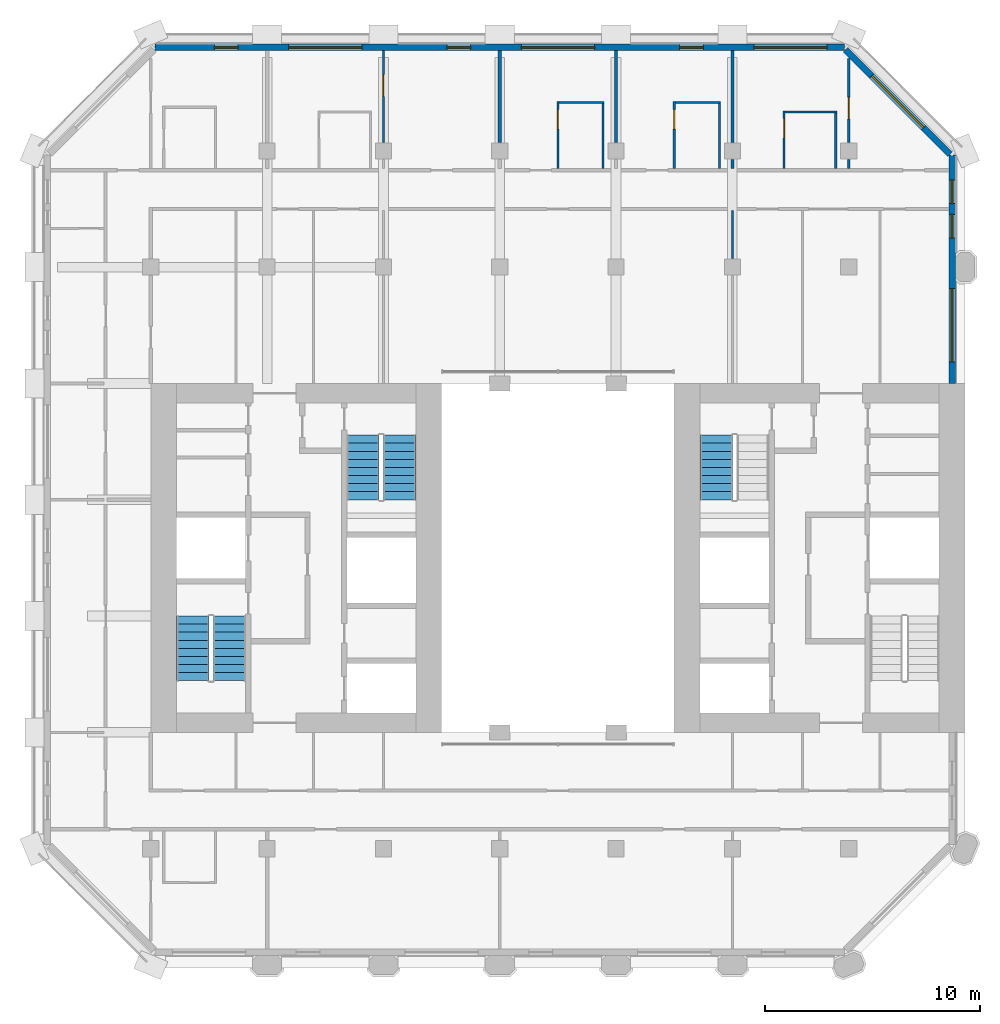
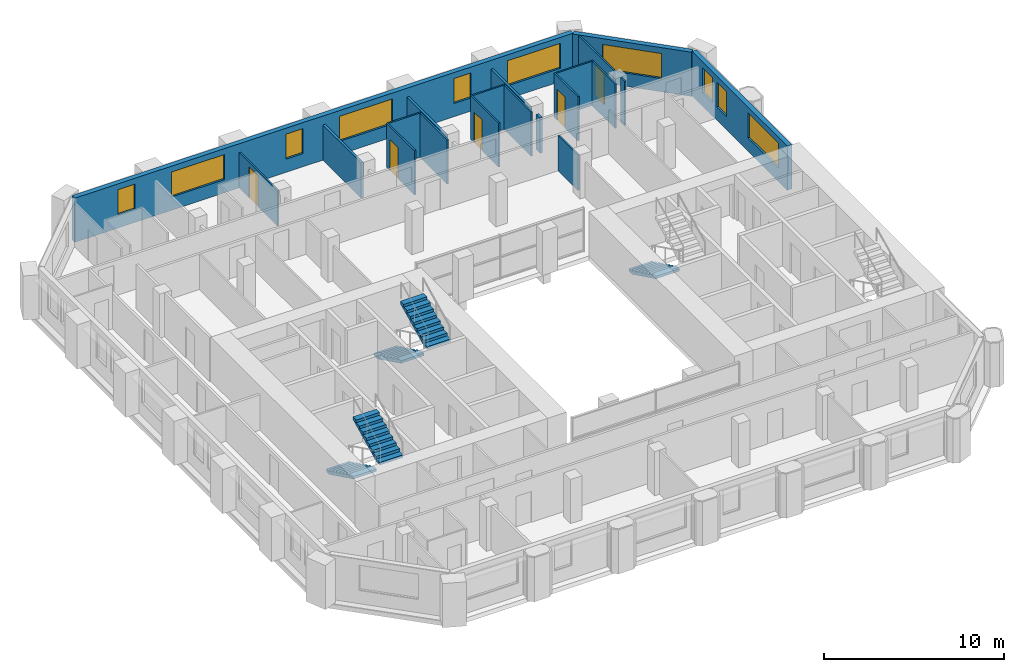
# One storey, part 10 of 14: 20 walls, 10 windows, 5 doors, 5 stair flights, 15 openings, 3 elements without a shape of their own.
"""IFC4 building model written with IfcOpenShell, lengths in metres."""

import ifcopenshell
import ifcopenshell.guid

model = None  # the IFC model being written
_history = None  # IfcOwnerHistory: only IFC2X3 demands one
_inside = {}  # id of a spatial element -> (the spatial element, [elements in it])
_under = {}  # id of a project, library or spatial element -> (it, [spatial elements below it])
_declared = {}  # id of a project -> (the project, [libraries it declares])
_typed = {}  # id of a type object -> (the type object, [elements of that type])
_made_of = {}  # id of a material, layer set ... -> (it, [elements and type objects made of it])


def new_model(schema):
    """Start an empty IFC model of exactly this schema.

    Asked for "IFC4X3", IfcOpenShell would pick the latest addendum, in which some entities
    have other attributes; the version numbers below select the first issue.
    IFC2X3 requires an IfcOwnerHistory on every rooted entity: one is made here for all.
    """
    global model, _history
    if schema == "IFC4X3":
        model = ifcopenshell.file(schema_version=(4, 3, 0, 0))
    else:
        model = ifcopenshell.file(schema=schema)
    _inside.clear()
    _under.clear()
    _declared.clear()
    _typed.clear()
    _made_of.clear()
    _history = None
    if model.schema == "IFC2X3":
        org = make("IfcOrganization", Name="unknown")
        user = make(
            "IfcPersonAndOrganization",
            ThePerson=make("IfcPerson", FamilyName="unknown"),
            TheOrganization=org,
        )
        app = make(
            "IfcApplication",
            ApplicationDeveloper=org,
            Version="unknown",
            ApplicationFullName="unknown",
            ApplicationIdentifier="unknown",
        )
        _history = make(
            "IfcOwnerHistory",
            OwningUser=user,
            OwningApplication=app,
            ChangeAction="ADDED",
            CreationDate=0,
        )
    return model


def make(cls, **values):
    """One entity of the class cls with the attributes given. An attribute that is None is left unset."""
    return model.create_entity(
        cls, **{name: value for name, value in values.items() if value is not None}
    )


def rooted(cls, **values):
    """An entity with a GlobalId (a new one), such as an element, a storey or a relation."""
    return make(cls, GlobalId=ifcopenshell.guid.new(), OwnerHistory=_history, **values)


def si_unit(unit_type, name, prefix=None):
    """IfcSIUnit, for example si_unit("LENGTHUNIT", "METRE", prefix="MILLI")."""
    return make("IfcSIUnit", UnitType=unit_type, Prefix=prefix, Name=name)


def assignment(units):
    """IfcUnitAssignment: the units of a project."""
    return None if units is None else make("IfcUnitAssignment", Units=units)


def point(xyz):
    """IfcCartesianPoint."""
    return None if xyz is None else make("IfcCartesianPoint", Coordinates=xyz)


def direction(xyz):
    """IfcDirection."""
    return None if xyz is None else make("IfcDirection", DirectionRatios=xyz)


def frame(location, z_axis=None, x_axis=None):
    """IfcAxis2Placement3D, a coordinate frame: its origin and axes. An axis left out is left unset."""
    return make(
        "IfcAxis2Placement3D",
        Location=point(location),
        Axis=direction(z_axis),
        RefDirection=direction(x_axis),
    )


def frame_2d(location, x_axis=None):
    """IfcAxis2Placement2D, a coordinate frame in the plane: its origin and x axis."""
    return make(
        "IfcAxis2Placement2D", Location=point(location), RefDirection=direction(x_axis)
    )


def origin():
    """The frame at (0, 0, 0) with its axes left unset."""
    return frame((0.0, 0.0, 0.0))


def place(relative_to, where):
    """IfcLocalPlacement: puts the frame where relative to a parent placement (None: the world)."""
    return make(
        "IfcLocalPlacement", PlacementRelTo=relative_to, RelativePlacement=where
    )


def context(
    kind, dimensions, precision=None, world=None, true_north=None, identifier=None
):
    """IfcGeometricRepresentationContext, for example the 3D "Model" context."""
    return make(
        "IfcGeometricRepresentationContext",
        ContextIdentifier=identifier,
        ContextType=kind,
        CoordinateSpaceDimension=dimensions,
        Precision=precision,
        WorldCoordinateSystem=world,
        TrueNorth=true_north,
    )


def subcontext(parent, identifier, kind, view, scale=None):
    """IfcGeometricRepresentationSubContext, for example "Body" below "Model"."""
    return make(
        "IfcGeometricRepresentationSubContext",
        ContextIdentifier=identifier,
        ContextType=kind,
        ParentContext=parent,
        TargetScale=scale,
        TargetView=view,
    )


def project(units=None, contexts=None):
    """IfcProject with its units and contexts."""
    return rooted(
        "IfcProject",
        Name="project",
        RepresentationContexts=contexts,
        UnitsInContext=assignment(units),
    )


def spatial(cls, under=None, at=None, **own):
    """A site, building, storey or space (cls), placed at a placement, below another one or the project."""
    s = rooted(cls, ObjectPlacement=at, **own)
    if under is not None:
        _under.setdefault(under.id(), (under, []))[1].append(s)
    return s


def polyline(points):
    """IfcPolyline through the points."""
    return make("IfcPolyline", Points=[point(p) for p in points])


def profile(cls, at=None, kind="AREA", **sizes):
    """A parametric profile (cls). Its sizes go by their IFC names, for example OverallWidth=200.0."""
    return make(cls, ProfileType=kind, Position=at, **sizes)


def rectangle(**sizes):
    """IfcRectangleProfileDef."""
    return profile("IfcRectangleProfileDef", **sizes)


def outline(outer, holes=None, kind="AREA"):
    """IfcArbitraryClosedProfileDef: a profile drawn as a closed curve; with holes, ...WithVoids."""
    if holes is None:
        return make("IfcArbitraryClosedProfileDef", ProfileType=kind, OuterCurve=outer)
    return make(
        "IfcArbitraryProfileDefWithVoids",
        ProfileType=kind,
        OuterCurve=outer,
        InnerCurves=holes,
    )


def extrude(swept, where, along, depth):
    """IfcExtrudedAreaSolid: the profile swept, set in the frame where, extruded along a direction by depth."""
    return make(
        "IfcExtrudedAreaSolid",
        SweptArea=swept,
        Position=where,
        ExtrudedDirection=direction(along),
        Depth=depth,
    )


def shape(context_of_items, identifier, shape_type, items):
    """IfcShapeRepresentation: the items that make up one representation, for example the "Body"."""
    return make(
        "IfcShapeRepresentation",
        ContextOfItems=context_of_items,
        RepresentationIdentifier=identifier,
        RepresentationType=shape_type,
        Items=items,
    )


def material(Name=None, Category=None):
    """IfcMaterial."""
    return make("IfcMaterial", Name=Name, Category=Category)


def layer(
    of_material, thickness, ventilated=None, Name=None, Category=None, Priority=None
):
    """IfcMaterialLayer: one layer of a wall or slab, of a material (None: an air gap)."""
    return make(
        "IfcMaterialLayer",
        Material=of_material,
        LayerThickness=thickness,
        IsVentilated=ventilated,
        Name=Name,
        Category=Category,
        Priority=Priority,
    )


def layer_set(layers, Name=None):
    """IfcMaterialLayerSet."""
    return make("IfcMaterialLayerSet", MaterialLayers=layers, LayerSetName=Name)


def made_of(thing, what):
    """Note that an element or type object is made of a material, layer set ...; save() writes the relation."""
    if what is not None:
        _made_of.setdefault(what.id(), (what, []))[1].append(thing)
    return thing


def type_object(cls, material=None, **own):
    """A type object (cls), such as IfcWallType, which elements share."""
    return made_of(rooted(cls, **own), material)


def element(
    cls,
    number,
    at=None,
    inside=None,
    cuts=None,
    type_object=None,
    material=None,
    context=None,
    identifier="Body",
    shape_type=None,
    held_by="IfcProductDefinitionShape",
    body=None,
    shapes=None,
    **own,
):
    """One element of the class cls, such as IfcWall. Its Tag is "e" and its number.

    at: its placement. inside: the storey or other place that contains it. cuts: it is an
    opening in that element (IfcRelVoidsElement). A single representation is given by context,
    identifier, shape_type and body (its items); several are given by shapes. held_by: the class
    of the entity that holds the representations. save() writes the other relations.
    """
    e = rooted(cls, Tag="e%d" % number, ObjectPlacement=at, **own)
    if body is not None:
        shapes = [shape(context, identifier, shape_type, body)]
    if shapes is not None:
        e.Representation = make(held_by, Representations=shapes)
    if inside is not None:
        _inside.setdefault(inside.id(), (inside, []))[1].append(e)
    if cuts is not None:
        rooted(
            "IfcRelVoidsElement", RelatingBuildingElement=cuts, RelatedOpeningElement=e
        )
    if type_object is not None:
        _typed.setdefault(type_object.id(), (type_object, []))[1].append(e)
    return made_of(e, material)


def fill(opening, filler):
    """IfcRelFillsElement: the door or window that sits in an opening."""
    return rooted(
        "IfcRelFillsElement",
        RelatingOpeningElement=opening,
        RelatedBuildingElement=filler,
    )


def aggregate(whole, parts):
    """IfcRelAggregates: a whole, such as a stair, and the parts it consists of."""
    return rooted("IfcRelAggregates", RelatingObject=whole, RelatedObjects=parts)


def save(model, path):
    """Write the relations noted so far, then the file.

    IfcRelAggregates (storeys below a building ...), IfcRelContainedInSpatialStructure (elements
    in a storey), IfcRelDefinesByType, IfcRelAssociatesMaterial and IfcRelDeclares: one each for
    every whole, place, type object, material and project.
    """
    for whole, parts in _under.values():
        aggregate(whole, parts)
    for where, things in _inside.values():
        rooted(
            "IfcRelContainedInSpatialStructure",
            RelatedElements=things,
            RelatingStructure=where,
        )
    for kind, things in _typed.values():
        rooted("IfcRelDefinesByType", RelatedObjects=things, RelatingType=kind)
    for what, things in _made_of.values():
        rooted("IfcRelAssociatesMaterial", RelatedObjects=things, RelatingMaterial=what)
    for by, libraries in _declared.values():
        rooted("IfcRelDeclares", RelatingContext=by, RelatedDefinitions=libraries)
    model.write(path)


model = new_model("IFC4")

# Units and contexts
model_context = context("Model", 3, precision=1e-05, world=origin(), true_north=direction((0.0, 1.0)))
body_context = subcontext(model_context, "Body", "Model", "MODEL_VIEW")
ifc_project = project(units=[si_unit("LENGTHUNIT", "METRE"), si_unit("AREAUNIT", "SQUARE_METRE"), si_unit("VOLUMEUNIT", "CUBIC_METRE"), si_unit("PLANEANGLEUNIT", "RADIAN"), si_unit("MASSUNIT", "GRAM", prefix="KILO")], contexts=[model_context])

# Site, building, storey
site_placement = place(None, origin())
site = spatial("IfcSite", under=ifc_project, at=site_placement, CompositionType="ELEMENT")
building_placement = place(site_placement, origin())
building = spatial("IfcBuilding", under=site, at=building_placement, Name="Tabaq Tower and Sports Hall", CompositionType="ELEMENT")
storey_placement = place(building_placement, frame((0.0, 0.0, 226.89990234375)))
storey = spatial("IfcBuildingStorey", under=building, at=storey_placement, Name="L57", CompositionType="ELEMENT", Elevation=226.89990234375)

# Wall, opening, door
ifc_material_1 = material(Name="Gypsum board on steel studs", Category="steel")
ifc_layer_1 = layer(ifc_material_1, 0.10009765625)
ifc_layer_set_1 = layer_set([ifc_layer_1], Name="Partition 100 Gypsum board")
wall_type_1 = type_object("IfcWallType", Name="Partition 100 Gypsum board", PredefinedType="PARTITIONING", material=ifc_layer_set_1)
wall_1_placement = place(storey_placement, frame((34.800048828125, 42.375, 0.0), z_axis=(0.0, 0.0, 1.0), x_axis=(0.0, 1.0, 0.0)))
wall_1 = element("IfcWall", 1, at=wall_1_placement, inside=storey, type_object=wall_type_1, Name="Partition wall L57", PredefinedType="PARTITIONING", context=body_context, shape_type="SweptSolid", body=[
    extrude(rectangle(XDim=2.675048828125, YDim=0.10009765625, at=frame_2d((1.33740234375, 0.0))), origin(), (0.0, 0.0, 1.0), 3.0),
])
opening_1_placement = place(wall_1_placement, frame((1.425048828125, 0.0, 0.0)))
opening_1 = element("IfcOpeningElement", 2, at=opening_1_placement, cuts=wall_1, Name="Opening L57-002", PredefinedType="OPENING", context=body_context, shape_type="SweptSolid", body=[
    extrude(rectangle(XDim=0.89990234375, YDim=2.10009765625, at=frame_2d((0.449951171875, 1.050048828125))), frame((0.0, 0.050048828125, 0.0), z_axis=(0.0, -1.0, 0.0), x_axis=(1.0, 0.0, 0.0)), (0.0, 0.0, 1.0), 0.10009765625),
])
ifc_material_2 = material(Name="Timber leaf in steel frame", Category="steel")
door_type_1 = type_object("IfcDoorType", Name="Internal door 900 left hand", OperationType="SINGLE_SWING_LEFT", PredefinedType="DOOR", material=ifc_material_2)
door_1_placement = place(opening_1_placement, origin())
door_1 = element("IfcDoor", 3, at=door_1_placement, inside=storey, type_object=door_type_1, Name="Internal door L57-002", OperationType="SINGLE_SWING_LEFT", OverallHeight=2.10009765625, OverallWidth=0.89990234375, PredefinedType="DOOR", context=body_context, shape_type="SweptSolid", body=[
    extrude(rectangle(XDim=0.89990234375, YDim=2.10009765625, at=frame_2d((0.449951171875, 1.050048828125))), frame((0.0, 0.02490234375, 0.0), z_axis=(0.0, -1.0, 0.0), x_axis=(1.0, 0.0, 0.0)), (0.0, 0.0, 1.0), 0.050048828125),
])
fill(opening_1, door_1)

# Walls
wall_2_placement = place(storey_placement, frame((34.85009765625, 45.0, 0.0), z_axis=(0.0, 0.0, 1.0), x_axis=(1.0, 0.0, 0.0)))
element("IfcWall", 4, at=wall_2_placement, inside=storey, type_object=wall_type_1, Name="Partition wall L57", PredefinedType="PARTITIONING", context=body_context, shape_type="SweptSolid", body=[
    extrude(rectangle(XDim=2.39990234375, YDim=0.10009765625, at=frame_2d((1.199951171875, 0.0))), origin(), (0.0, 0.0, 1.0), 3.0),
])
wall_3_placement = place(storey_placement, frame((37.199951171875, 44.949951171875, 0.0), z_axis=(0.0, 0.0, 1.0), x_axis=(0.0, -1.0, 0.0)))
element("IfcWall", 5, at=wall_3_placement, inside=storey, type_object=wall_type_1, Name="Partition wall L57", PredefinedType="PARTITIONING", context=body_context, shape_type="SweptSolid", body=[
    extrude(rectangle(XDim=2.574951171875, YDim=0.10009765625, at=frame_2d((1.28759765625, 0.0))), origin(), (0.0, 0.0, 1.0), 3.0),
])
wall_4_placement = place(storey_placement, frame((37.800048828125, 42.375, 0.0), z_axis=(0.0, 0.0, 1.0), x_axis=(0.0, 1.0, 0.0)))
element("IfcWall", 6, at=wall_4_placement, inside=storey, type_object=wall_type_1, Name="Partition wall L57", PredefinedType="PARTITIONING", context=body_context, shape_type="SweptSolid", body=[
    extrude(rectangle(XDim=0.429931640625, YDim=0.10009765625, at=frame_2d((0.21484375, 0.0))), origin(), (0.0, 0.0, 1.0), 3.0),
])

# Wall, opening, door
wall_5_placement = place(storey_placement, frame((37.800048828125, 43.594970703125, 0.0), z_axis=(0.0, 0.0, 1.0), x_axis=(0.0, 1.0, 0.0)))
wall_5 = element("IfcWall", 7, at=wall_5_placement, inside=storey, type_object=wall_type_1, Name="Partition wall L57", PredefinedType="PARTITIONING", context=body_context, shape_type="SweptSolid", body=[
    extrude(rectangle(XDim=3.892822265625, YDim=0.10009765625, at=frame_2d((1.9462890625, 0.0))), origin(), (0.0, 0.0, 1.0), 3.0),
])
opening_2_placement = place(wall_5_placement, frame((1.092529296875, 0.0, 0.0)))
opening_2 = element("IfcOpeningElement", 8, at=opening_2_placement, cuts=wall_5, Name="Opening L57-025", PredefinedType="OPENING", context=body_context, shape_type="SweptSolid", body=[
    extrude(rectangle(XDim=1.0, YDim=2.10009765625, at=frame_2d((0.5, 1.050048828125))), frame((0.0, 0.050048828125, 0.0), z_axis=(0.0, -1.0, 0.0), x_axis=(1.0, 0.0, 0.0)), (0.0, 0.0, 1.0), 0.10009765625),
])
ifc_material_3 = material(Name="Timber leaf in steel frame", Category="steel")
door_type_2 = type_object("IfcDoorType", Name="Internal door 1000 left hand", OperationType="SINGLE_SWING_LEFT", PredefinedType="DOOR", material=ifc_material_3)
door_2_placement = place(opening_2_placement, origin())
door_2 = element("IfcDoor", 9, at=door_2_placement, inside=storey, type_object=door_type_2, Name="Internal door L57-025", OperationType="SINGLE_SWING_LEFT", OverallHeight=2.10009765625, OverallWidth=1.0, PredefinedType="DOOR", context=body_context, shape_type="SweptSolid", body=[
    extrude(rectangle(XDim=1.0, YDim=2.10009765625, at=frame_2d((0.5, 1.050048828125))), frame((0.0, 0.02490234375, 0.0), z_axis=(0.0, -1.0, 0.0), x_axis=(1.0, 0.0, 0.0)), (0.0, 0.0, 1.0), 0.050048828125),
])
fill(opening_2, door_2)

wall_6_placement = place(storey_placement, frame((29.699951171875, 42.375, 0.0), z_axis=(0.0, 0.0, 1.0), x_axis=(0.0, 1.0, 0.0)))
wall_6 = element("IfcWall", 10, at=wall_6_placement, inside=storey, type_object=wall_type_1, Name="Partition wall L57", PredefinedType="PARTITIONING", context=body_context, shape_type="SweptSolid", body=[
    extrude(rectangle(XDim=3.125, YDim=0.10009765625, at=frame_2d((1.5625, 0.0))), origin(), (0.0, 0.0, 1.0), 3.0),
])
opening_3_placement = place(wall_6_placement, frame((1.83740234375, 0.0, 0.0)))
opening_3 = element("IfcOpeningElement", 11, at=opening_3_placement, cuts=wall_6, Name="Opening L57-003", PredefinedType="OPENING", context=body_context, shape_type="SweptSolid", body=[
    extrude(rectangle(XDim=0.89990234375, YDim=2.10009765625, at=frame_2d((0.449951171875, 1.050048828125))), frame((0.0, 0.050048828125, 0.0), z_axis=(0.0, -1.0, 0.0), x_axis=(1.0, 0.0, 0.0)), (0.0, 0.0, 1.0), 0.10009765625),
])
door_3_placement = place(opening_3_placement, origin())
door_3 = element("IfcDoor", 12, at=door_3_placement, inside=storey, type_object=door_type_1, Name="Internal door L57-003", OperationType="SINGLE_SWING_LEFT", OverallHeight=2.10009765625, OverallWidth=0.89990234375, PredefinedType="DOOR", context=body_context, shape_type="SweptSolid", body=[
    extrude(rectangle(XDim=0.89990234375, YDim=2.10009765625, at=frame_2d((0.449951171875, 1.050048828125))), frame((0.0, 0.02490234375, 0.0), z_axis=(0.0, -1.0, 0.0), x_axis=(1.0, 0.0, 0.0)), (0.0, 0.0, 1.0), 0.050048828125),
])
fill(opening_3, door_3)

# Walls
wall_7_placement = place(storey_placement, frame((29.75, 45.449951171875, 0.0), z_axis=(0.0, 0.0, 1.0), x_axis=(1.0, 0.0, 0.0)))
element("IfcWall", 13, at=wall_7_placement, inside=storey, type_object=wall_type_1, Name="Partition wall L57", PredefinedType="PARTITIONING", context=body_context, shape_type="SweptSolid", body=[
    extrude(rectangle(XDim=2.10009765625, YDim=0.10009765625, at=frame_2d((1.050048828125, 0.0))), origin(), (0.0, 0.0, 1.0), 3.0),
])
wall_8_placement = place(storey_placement, frame((31.800048828125, 45.39990234375, 0.0), z_axis=(0.0, 0.0, 1.0), x_axis=(0.0, -1.0, 0.0)))
element("IfcWall", 14, at=wall_8_placement, inside=storey, type_object=wall_type_1, Name="Partition wall L57", PredefinedType="PARTITIONING", context=body_context, shape_type="SweptSolid", body=[
    extrude(rectangle(XDim=3.02490234375, YDim=0.10009765625, at=frame_2d((1.512451171875, 0.0))), origin(), (0.0, 0.0, 1.0), 3.0),
])

# Wall, opening, door
wall_9_placement = place(storey_placement, frame((24.300048828125, 42.375, 0.0), z_axis=(0.0, 0.0, 1.0), x_axis=(0.0, 1.0, 0.0)))
wall_9 = element("IfcWall", 15, at=wall_9_placement, inside=storey, type_object=wall_type_1, Name="Partition wall L57", PredefinedType="PARTITIONING", context=body_context, shape_type="SweptSolid", body=[
    extrude(rectangle(XDim=3.125, YDim=0.10009765625, at=frame_2d((1.5625, 0.0))), origin(), (0.0, 0.0, 1.0), 3.0),
])
opening_4_placement = place(wall_9_placement, frame((1.83740234375, 0.0, 0.0)))
opening_4 = element("IfcOpeningElement", 16, at=opening_4_placement, cuts=wall_9, Name="Opening L57-004", PredefinedType="OPENING", context=body_context, shape_type="SweptSolid", body=[
    extrude(rectangle(XDim=0.89990234375, YDim=2.10009765625, at=frame_2d((0.449951171875, 1.050048828125))), frame((0.0, 0.050048828125, 0.0), z_axis=(0.0, -1.0, 0.0), x_axis=(1.0, 0.0, 0.0)), (0.0, 0.0, 1.0), 0.10009765625),
])
ifc_material_4 = material(Name="Timber leaf in steel frame", Category="steel")
door_type_3 = type_object("IfcDoorType", Name="Internal door 900 right hand", OperationType="SINGLE_SWING_RIGHT", PredefinedType="DOOR", material=ifc_material_4)
door_4_placement = place(opening_4_placement, origin())
door_4 = element("IfcDoor", 17, at=door_4_placement, inside=storey, type_object=door_type_3, Name="Internal door L57-004", OperationType="SINGLE_SWING_RIGHT", OverallHeight=2.10009765625, OverallWidth=0.89990234375, PredefinedType="DOOR", context=body_context, shape_type="SweptSolid", body=[
    extrude(rectangle(XDim=0.89990234375, YDim=2.10009765625, at=frame_2d((0.449951171875, 1.050048828125))), frame((0.0, 0.02490234375, 0.0), z_axis=(0.0, -1.0, 0.0), x_axis=(1.0, 0.0, 0.0)), (0.0, 0.0, 1.0), 0.050048828125),
])
fill(opening_4, door_4)

# Walls
wall_10_placement = place(storey_placement, frame((24.35009765625, 45.449951171875, 0.0), z_axis=(0.0, 0.0, 1.0), x_axis=(1.0, 0.0, 0.0)))
element("IfcWall", 18, at=wall_10_placement, inside=storey, type_object=wall_type_1, Name="Partition wall L57", PredefinedType="PARTITIONING", context=body_context, shape_type="SweptSolid", body=[
    extrude(rectangle(XDim=2.099853515625, YDim=0.10009765625, at=frame_2d((1.0498046875, 0.0))), origin(), (0.0, 0.0, 1.0), 3.0),
])
wall_11_placement = place(storey_placement, frame((26.39990234375, 45.39990234375, 0.0), z_axis=(0.0, 0.0, 1.0), x_axis=(0.0, -1.0, 0.0)))
element("IfcWall", 19, at=wall_11_placement, inside=storey, type_object=wall_type_1, Name="Partition wall L57", PredefinedType="PARTITIONING", context=body_context, shape_type="SweptSolid", body=[
    extrude(rectangle(XDim=3.02490234375, YDim=0.10009765625, at=frame_2d((1.512451171875, 0.0))), origin(), (0.0, 0.0, 1.0), 3.0),
])

# Wall, opening, door
wall_12_placement = place(storey_placement, frame((16.199951171875, 43.594970703125, 0.0), z_axis=(0.0, 0.0, 1.0), x_axis=(0.0, 1.0, 0.0)))
wall_12 = element("IfcWall", 20, at=wall_12_placement, inside=storey, type_object=wall_type_1, Name="Partition wall L57", PredefinedType="PARTITIONING", context=body_context, shape_type="SweptSolid", body=[
    extrude(rectangle(XDim=4.254150390625, YDim=0.10009765625, at=frame_2d((2.126953125, 0.0))), origin(), (0.0, 0.0, 1.0), 2.400146484375),
])
opening_5_placement = place(wall_12_placement, frame((2.137939453125, 0.0, 0.0)))
opening_5 = element("IfcOpeningElement", 21, at=opening_5_placement, cuts=wall_12, Name="Opening L57-029", PredefinedType="OPENING", context=body_context, shape_type="SweptSolid", body=[
    extrude(rectangle(XDim=1.0, YDim=2.10009765625, at=frame_2d((0.5, 1.050048828125))), frame((0.0, 0.050048828125, 0.0), z_axis=(0.0, -1.0, 0.0), x_axis=(1.0, 0.0, 0.0)), (0.0, 0.0, 1.0), 0.10009765625),
])
ifc_material_5 = material(Name="Timber leaf in steel frame", Category="steel")
door_type_4 = type_object("IfcDoorType", Name="Internal door 1000 right hand", OperationType="SINGLE_SWING_RIGHT", PredefinedType="DOOR", material=ifc_material_5)
door_5_placement = place(opening_5_placement, origin())
door_5 = element("IfcDoor", 22, at=door_5_placement, inside=storey, type_object=door_type_4, Name="Internal door L57-029", OperationType="SINGLE_SWING_RIGHT", OverallHeight=2.10009765625, OverallWidth=1.0, PredefinedType="DOOR", context=body_context, shape_type="SweptSolid", body=[
    extrude(rectangle(XDim=1.0, YDim=2.10009765625, at=frame_2d((0.5, 1.050048828125))), frame((0.0, 0.02490234375, 0.0), z_axis=(0.0, -1.0, 0.0), x_axis=(1.0, 0.0, 0.0)), (0.0, 0.0, 1.0), 0.050048828125),
])
fill(opening_5, door_5)

# Walls
wall_13_placement = place(storey_placement, frame((32.39990234375, 38.195068359375, 0.0), z_axis=(0.0, 0.0, 1.0), x_axis=(0.0, 1.0, 0.0)))
element("IfcWall", 23, at=wall_13_placement, inside=storey, type_object=wall_type_1, Name="Partition wall L57", PredefinedType="PARTITIONING", context=body_context, shape_type="SweptSolid", body=[
    extrude(rectangle(XDim=2.22998046875, YDim=0.10009765625, at=frame_2d((1.114990234375, 0.0))), origin(), (0.0, 0.0, 1.0), 2.400146484375),
])
ifc_material_6 = material(Name="Blockwork", Category="masonry")
ifc_layer_2 = layer(ifc_material_6, 0.14990234375)
ifc_layer_set_2 = layer_set([ifc_layer_2], Name="Separating wall 150 Blockwork")
wall_type_2 = type_object("IfcWallType", Name="Separating wall 150 Blockwork", PredefinedType="PARTITIONING", material=ifc_layer_set_2)
wall_14_placement = place(storey_placement, frame((32.39990234375, 47.84912109375, 0.0), z_axis=(0.0, 0.0, 1.0), x_axis=(0.0, -1.0, 0.0)))
element("IfcWall", 24, at=wall_14_placement, inside=storey, type_object=wall_type_2, Name="Separating wall L57", PredefinedType="PARTITIONING", context=body_context, shape_type="SweptSolid", body=[
    extrude(rectangle(XDim=4.254150390625, YDim=0.14990234375, at=frame_2d((2.126953125, 0.0))), origin(), (0.0, 0.0, 1.0), 2.400146484375),
])
wall_15_placement = place(storey_placement, frame((32.39990234375, 42.804931640625, 0.0), z_axis=(0.0, 0.0, 1.0), x_axis=(0.0, -1.0, 0.0)))
element("IfcWall", 25, at=wall_15_placement, inside=storey, type_object=wall_type_2, Name="Separating wall L57", PredefinedType="PARTITIONING", context=body_context, shape_type="SweptSolid", body=[
    extrude(rectangle(XDim=0.429931640625, YDim=0.14990234375, at=frame_2d((0.21484375, 0.0))), origin(), (0.0, 0.0, 1.0), 2.400146484375),
])
for number, where, z_axis, x_axis, name in (
    (26, (27.0, 47.84912109375, 0.0), (0.0, 0.0, 1.0), (0.0, -1.0, 0.0), "Separating wall L57"),
    (27, (21.60009765625, 47.84912109375, 0.0), (0.0, 0.0, 1.0), (0.0, -1.0, 0.0), "Separating wall L57"),
):
    element("IfcWall", number, at=place(storey_placement, frame(where, z_axis=z_axis, x_axis=x_axis)), inside=storey, type_object=wall_type_2, Name=name, PredefinedType="PARTITIONING", context=body_context, shape_type="SweptSolid", body=[
        extrude(rectangle(XDim=4.254150390625, YDim=0.14990234375, at=frame_2d((2.126953125, 0.0))), origin(), (0.0, 0.0, 1.0), 2.400146484375),
    ])

# Wall, openings, windows
ifc_material_7 = material(Name="White precast concrete C60/75", Category="concrete")
ifc_layer_3 = layer(ifc_material_7, 0.300048828125)
ifc_layer_set_3 = layer_set([ifc_layer_3], Name="White precast concrete C60/75 external wall 300")
wall_type_3 = type_object("IfcWallType", Name="White precast concrete C60/75 external wall 300", PredefinedType="SOLIDWALL", material=ifc_layer_set_3)
wall_16_placement = place(storey_placement, frame((42.60009765625, 32.39990234375, 0.0), z_axis=(0.0, 0.0, 1.0), x_axis=(0.0, 1.0, 0.0)))
wall_16 = element("IfcWall", 28, at=wall_16_placement, inside=storey, type_object=wall_type_3, Name="External Wall L57 E", PredefinedType="SOLIDWALL", context=body_context, shape_type="SweptSolid", body=[
    extrude(rectangle(XDim=10.61376953125, YDim=0.300048828125, at=frame_2d((5.306884765625, 0.0))), origin(), (0.0, 0.0, 1.0), 3.0),
])
opening_6_placement = place(wall_16_placement, frame((1.0, 0.0, 0.89990234375)))
opening_6 = element("IfcOpeningElement", 29, at=opening_6_placement, cuts=wall_16, Name="Opening W1A", PredefinedType="OPENING", context=body_context, shape_type="SweptSolid", body=[
    extrude(rectangle(XDim=3.39990234375, YDim=1.699951171875, at=frame_2d((1.699951171875, 0.85009765625))), frame((0.0, 0.16015625, 0.0), z_axis=(0.0, -1.0, 0.0), x_axis=(1.0, 0.0, 0.0)), (0.0, 0.0, 1.0), 0.320068359375),
])
opening_7_placement = place(wall_16_placement, frame((6.75, 0.0, 0.89990234375)))
opening_7 = element("IfcOpeningElement", 30, at=opening_7_placement, cuts=wall_16, Name="Opening W1B", PredefinedType="OPENING", context=body_context, shape_type="SweptSolid", body=[
    extrude(rectangle(XDim=1.10009765625, YDim=1.699951171875, at=frame_2d((0.550048828125, 0.85009765625))), frame((0.0, 0.16015625, 0.0), z_axis=(0.0, -1.0, 0.0), x_axis=(1.0, 0.0, 0.0)), (0.0, 0.0, 1.0), 0.320068359375),
])
opening_8_placement = place(wall_16_placement, frame((8.35009765625, 0.0, 0.89990234375)))
opening_8 = element("IfcOpeningElement", 31, at=opening_8_placement, cuts=wall_16, Name="Opening W1B", PredefinedType="OPENING", context=body_context, shape_type="SweptSolid", body=[
    extrude(rectangle(XDim=1.10009765625, YDim=1.699951171875, at=frame_2d((0.550048828125, 0.85009765625))), frame((0.0, 0.16015625, 0.0), z_axis=(0.0, -1.0, 0.0), x_axis=(1.0, 0.0, 0.0)), (0.0, 0.0, 1.0), 0.320068359375),
])
ifc_material_8 = material(Name="Aluminium framed clear glazing", Category="aluminium")
window_type_1 = type_object("IfcWindowType", Name="Window W1A", PartitioningType="SINGLE_PANEL", PredefinedType="WINDOW", material=ifc_material_8)
window_1_placement = place(opening_6_placement, origin())
window_1 = element("IfcWindow", 32, at=window_1_placement, inside=storey, type_object=window_type_1, Name="Window W1A L57", OverallHeight=1.699951171875, OverallWidth=3.39990234375, PartitioningType="SINGLE_PANEL", PredefinedType="WINDOW", context=body_context, shape_type="SweptSolid", body=[
    extrude(rectangle(XDim=3.39990234375, YDim=1.699951171875, at=frame_2d((1.699951171875, 0.85009765625))), frame((0.0, 0.030029296875, 0.0), z_axis=(0.0, -1.0, 0.0), x_axis=(1.0, 0.0, 0.0)), (0.0, 0.0, 1.0), 0.06005859375),
])
fill(opening_6, window_1)
ifc_material_9 = material(Name="Aluminium framed clear glazing", Category="aluminium")
window_type_2 = type_object("IfcWindowType", Name="Window W1B", PartitioningType="SINGLE_PANEL", PredefinedType="WINDOW", material=ifc_material_9)
window_2_placement = place(opening_7_placement, origin())
window_2 = element("IfcWindow", 33, at=window_2_placement, inside=storey, type_object=window_type_2, Name="Window W1B L57", OverallHeight=1.699951171875, OverallWidth=1.10009765625, PartitioningType="SINGLE_PANEL", PredefinedType="WINDOW", context=body_context, shape_type="SweptSolid", body=[
    extrude(rectangle(XDim=1.10009765625, YDim=1.699951171875, at=frame_2d((0.550048828125, 0.85009765625))), frame((0.0, 0.030029296875, 0.0), z_axis=(0.0, -1.0, 0.0), x_axis=(1.0, 0.0, 0.0)), (0.0, 0.0, 1.0), 0.06005859375),
])
fill(opening_7, window_2)
window_3_placement = place(opening_8_placement, origin())
window_3 = element("IfcWindow", 34, at=window_3_placement, inside=storey, type_object=window_type_2, Name="Window W1B L57", OverallHeight=1.699951171875, OverallWidth=1.10009765625, PartitioningType="SINGLE_PANEL", PredefinedType="WINDOW", context=body_context, shape_type="SweptSolid", body=[
    extrude(rectangle(XDim=1.10009765625, YDim=1.699951171875, at=frame_2d((0.550048828125, 0.85009765625))), frame((0.0, 0.030029296875, 0.0), z_axis=(0.0, -1.0, 0.0), x_axis=(1.0, 0.0, 0.0)), (0.0, 0.0, 1.0), 0.06005859375),
])
fill(opening_8, window_3)

# Wall, opening, window
wall_17_placement = place(storey_placement, frame((42.5009765625, 43.050537109375, 0.0), z_axis=(0.0, 0.0, 1.0), x_axis=(-0.707106781187, 0.707106781187, 0.0)))
wall_17 = element("IfcWall", 35, at=wall_17_placement, inside=storey, type_object=wall_type_3, Name="External Wall L57 NE", PredefinedType="SOLIDWALL", context=body_context, shape_type="SweptSolid", body=[
    extrude(rectangle(XDim=6.85986328125, YDim=0.300048828125, at=frame_2d((3.429931640625, 0.0))), origin(), (0.0, 0.0, 1.0), 3.0),
])
opening_9_placement = place(wall_17_placement, frame((1.729736328125, 0.0, 0.89990234375)))
opening_9 = element("IfcOpeningElement", 36, at=opening_9_placement, cuts=wall_17, Name="Opening W1A", PredefinedType="OPENING", context=body_context, shape_type="SweptSolid", body=[
    extrude(rectangle(XDim=3.39990234375, YDim=1.699951171875, at=frame_2d((1.699951171875, 0.85009765625))), frame((0.0, 0.16015625, 0.0), z_axis=(0.0, -1.0, 0.0), x_axis=(1.0, 0.0, 0.0)), (0.0, 0.0, 1.0), 0.320068359375),
])
window_4_placement = place(opening_9_placement, origin())
window_4 = element("IfcWindow", 37, at=window_4_placement, inside=storey, type_object=window_type_1, Name="Window W1A L57", OverallHeight=1.699951171875, OverallWidth=3.39990234375, PartitioningType="SINGLE_PANEL", PredefinedType="WINDOW", context=body_context, shape_type="SweptSolid", body=[
    extrude(rectangle(XDim=3.39990234375, YDim=1.699951171875, at=frame_2d((1.699951171875, 0.85009765625))), frame((0.0, 0.030029296875, 0.0), z_axis=(0.0, -1.0, 0.0), x_axis=(1.0, 0.0, 0.0)), (0.0, 0.0, 1.0), 0.06005859375),
])
fill(opening_9, window_4)

# Wall, openings, windows
wall_18_placement = place(storey_placement, frame((37.613525390625, 48.0, 0.0), z_axis=(0.0, 0.0, 1.0), x_axis=(-1.0, 0.0, 0.0)))
wall_18 = element("IfcWall", 38, at=wall_18_placement, inside=storey, type_object=wall_type_3, Name="External Wall L57 N", PredefinedType="SOLIDWALL", context=body_context, shape_type="SweptSolid", body=[
    extrude(rectangle(XDim=32.027099609375, YDim=0.300048828125, at=frame_2d((16.013671875, 0.0))), origin(), (0.0, 0.0, 1.0), 3.0),
])
opening_10_placement = place(wall_18_placement, frame((0.813720703125, 0.0, 0.89990234375)))
opening_10 = element("IfcOpeningElement", 39, at=opening_10_placement, cuts=wall_18, Name="Opening W1A", PredefinedType="OPENING", context=body_context, shape_type="SweptSolid", body=[
    extrude(rectangle(XDim=3.39990234375, YDim=1.699951171875, at=frame_2d((1.699951171875, 0.85009765625))), frame((0.0, 0.16015625, 0.0), z_axis=(0.0, -1.0, 0.0), x_axis=(1.0, 0.0, 0.0)), (0.0, 0.0, 1.0), 0.320068359375),
])
opening_11_placement = place(wall_18_placement, frame((6.563720703125, 0.0, 0.89990234375)))
opening_11 = element("IfcOpeningElement", 40, at=opening_11_placement, cuts=wall_18, Name="Opening W1B", PredefinedType="OPENING", context=body_context, shape_type="SweptSolid", body=[
    extrude(rectangle(XDim=1.10009765625, YDim=1.699951171875, at=frame_2d((0.550048828125, 0.85009765625))), frame((0.0, 0.16015625, 0.0), z_axis=(0.0, -1.0, 0.0), x_axis=(1.0, 0.0, 0.0)), (0.0, 0.0, 1.0), 0.320068359375),
])
opening_12_placement = place(wall_18_placement, frame((11.613525390625, 0.0, 0.89990234375)))
opening_12 = element("IfcOpeningElement", 41, at=opening_12_placement, cuts=wall_18, Name="Opening W1A", PredefinedType="OPENING", context=body_context, shape_type="SweptSolid", body=[
    extrude(rectangle(XDim=3.39990234375, YDim=1.699951171875, at=frame_2d((1.699951171875, 0.85009765625))), frame((0.0, 0.16015625, 0.0), z_axis=(0.0, -1.0, 0.0), x_axis=(1.0, 0.0, 0.0)), (0.0, 0.0, 1.0), 0.320068359375),
])
opening_13_placement = place(wall_18_placement, frame((17.363525390625, 0.0, 0.89990234375)))
opening_13 = element("IfcOpeningElement", 42, at=opening_13_placement, cuts=wall_18, Name="Opening W1B", PredefinedType="OPENING", context=body_context, shape_type="SweptSolid", body=[
    extrude(rectangle(XDim=1.10009765625, YDim=1.699951171875, at=frame_2d((0.550048828125, 0.85009765625))), frame((0.0, 0.16015625, 0.0), z_axis=(0.0, -1.0, 0.0), x_axis=(1.0, 0.0, 0.0)), (0.0, 0.0, 1.0), 0.320068359375),
])
opening_14_placement = place(wall_18_placement, frame((22.41357421875, 0.0, 0.89990234375)))
opening_14 = element("IfcOpeningElement", 43, at=opening_14_placement, cuts=wall_18, Name="Opening W1A", PredefinedType="OPENING", context=body_context, shape_type="SweptSolid", body=[
    extrude(rectangle(XDim=3.39990234375, YDim=1.699951171875, at=frame_2d((1.699951171875, 0.85009765625))), frame((0.0, 0.16015625, 0.0), z_axis=(0.0, -1.0, 0.0), x_axis=(1.0, 0.0, 0.0)), (0.0, 0.0, 1.0), 0.320068359375),
])
opening_15_placement = place(wall_18_placement, frame((28.16357421875, 0.0, 0.89990234375)))
opening_15 = element("IfcOpeningElement", 44, at=opening_15_placement, cuts=wall_18, Name="Opening W1B", PredefinedType="OPENING", context=body_context, shape_type="SweptSolid", body=[
    extrude(rectangle(XDim=1.10009765625, YDim=1.699951171875, at=frame_2d((0.550048828125, 0.85009765625))), frame((0.0, 0.16015625, 0.0), z_axis=(0.0, -1.0, 0.0), x_axis=(1.0, 0.0, 0.0)), (0.0, 0.0, 1.0), 0.320068359375),
])
window_5_placement = place(opening_10_placement, origin())
window_5 = element("IfcWindow", 45, at=window_5_placement, inside=storey, type_object=window_type_1, Name="Window W1A L57", OverallHeight=1.699951171875, OverallWidth=3.39990234375, PartitioningType="SINGLE_PANEL", PredefinedType="WINDOW", context=body_context, shape_type="SweptSolid", body=[
    extrude(rectangle(XDim=3.39990234375, YDim=1.699951171875, at=frame_2d((1.699951171875, 0.85009765625))), frame((0.0, 0.030029296875, 0.0), z_axis=(0.0, -1.0, 0.0), x_axis=(1.0, 0.0, 0.0)), (0.0, 0.0, 1.0), 0.06005859375),
])
fill(opening_10, window_5)
window_6_placement = place(opening_12_placement, origin())
window_6 = element("IfcWindow", 46, at=window_6_placement, inside=storey, type_object=window_type_1, Name="Window W1A L57", OverallHeight=1.699951171875, OverallWidth=3.39990234375, PartitioningType="SINGLE_PANEL", PredefinedType="WINDOW", context=body_context, shape_type="SweptSolid", body=[
    extrude(rectangle(XDim=3.39990234375, YDim=1.699951171875, at=frame_2d((1.699951171875, 0.85009765625))), frame((0.0, 0.030029296875, 0.0), z_axis=(0.0, -1.0, 0.0), x_axis=(1.0, 0.0, 0.0)), (0.0, 0.0, 1.0), 0.06005859375),
])
fill(opening_12, window_6)
window_7_placement = place(opening_14_placement, origin())
window_7 = element("IfcWindow", 47, at=window_7_placement, inside=storey, type_object=window_type_1, Name="Window W1A L57", OverallHeight=1.699951171875, OverallWidth=3.39990234375, PartitioningType="SINGLE_PANEL", PredefinedType="WINDOW", context=body_context, shape_type="SweptSolid", body=[
    extrude(rectangle(XDim=3.39990234375, YDim=1.699951171875, at=frame_2d((1.699951171875, 0.85009765625))), frame((0.0, 0.030029296875, 0.0), z_axis=(0.0, -1.0, 0.0), x_axis=(1.0, 0.0, 0.0)), (0.0, 0.0, 1.0), 0.06005859375),
])
fill(opening_14, window_7)
window_8_placement = place(opening_11_placement, origin())
window_8 = element("IfcWindow", 48, at=window_8_placement, inside=storey, type_object=window_type_2, Name="Window W1B L57", OverallHeight=1.699951171875, OverallWidth=1.10009765625, PartitioningType="SINGLE_PANEL", PredefinedType="WINDOW", context=body_context, shape_type="SweptSolid", body=[
    extrude(rectangle(XDim=1.10009765625, YDim=1.699951171875, at=frame_2d((0.550048828125, 0.85009765625))), frame((0.0, 0.030029296875, 0.0), z_axis=(0.0, -1.0, 0.0), x_axis=(1.0, 0.0, 0.0)), (0.0, 0.0, 1.0), 0.06005859375),
])
fill(opening_11, window_8)
window_9_placement = place(opening_13_placement, origin())
window_9 = element("IfcWindow", 49, at=window_9_placement, inside=storey, type_object=window_type_2, Name="Window W1B L57", OverallHeight=1.699951171875, OverallWidth=1.10009765625, PartitioningType="SINGLE_PANEL", PredefinedType="WINDOW", context=body_context, shape_type="SweptSolid", body=[
    extrude(rectangle(XDim=1.10009765625, YDim=1.699951171875, at=frame_2d((0.550048828125, 0.85009765625))), frame((0.0, 0.030029296875, 0.0), z_axis=(0.0, -1.0, 0.0), x_axis=(1.0, 0.0, 0.0)), (0.0, 0.0, 1.0), 0.06005859375),
])
fill(opening_13, window_9)
window_10_placement = place(opening_15_placement, origin())
window_10 = element("IfcWindow", 50, at=window_10_placement, inside=storey, type_object=window_type_2, Name="Window W1B L57", OverallHeight=1.699951171875, OverallWidth=1.10009765625, PartitioningType="SINGLE_PANEL", PredefinedType="WINDOW", context=body_context, shape_type="SweptSolid", body=[
    extrude(rectangle(XDim=1.10009765625, YDim=1.699951171875, at=frame_2d((0.550048828125, 0.85009765625))), frame((0.0, 0.030029296875, 0.0), z_axis=(0.0, -1.0, 0.0), x_axis=(1.0, 0.0, 0.0)), (0.0, 0.0, 1.0), 0.06005859375),
])
fill(opening_15, window_10)

# Stair, stair flights
ifc_material_10 = material(Name="Concrete C40/50", Category="concrete")
stair_type = type_object("IfcStairType", Name="Exit stair", PredefinedType="HALF_TURN_STAIR", material=ifc_material_10)
stair_1_placement = place(storey_placement, origin())
stair_1 = element("IfcStair", 51, at=stair_1_placement, inside=storey, type_object=stair_type, Name="L57 Exit stair ST1", PredefinedType="HALF_TURN_STAIR")
ifc_material_11 = material(Name="Concrete C40/50", Category="concrete")
stair_flight_type = type_object("IfcStairFlightType", Name="Exit stair flight", PredefinedType="STRAIGHT", material=ifc_material_11)
stair_flight_1_placement = place(storey_placement, frame((7.35009765625, 21.60009765625, 0.0), z_axis=(0.0, 0.0, 1.0), x_axis=(0.0, -1.0, 0.0)))
stair_flight_1 = element("IfcStairFlight", 52, at=stair_flight_1_placement, type_object=stair_flight_type, Name="ST1 flight 1", NumberOfRisers=9, NumberOfTreads=8, PredefinedType="STRAIGHT", RiserHeight=0.183333333, TreadLength=0.375, context=body_context, shape_type="SweptSolid", body=[
    extrude(outline(polyline([(0.0, 0.0), (0.0, 0.183349609375), (0.375, 0.183349609375), (0.375, 0.36669921875), (0.75, 0.36669921875), (0.75, 0.550048828125), (1.125, 0.550048828125), (1.125, 0.7333984375), (1.5, 0.7333984375), (1.5, 0.916748046875), (1.875, 0.916748046875), (1.875, 1.10009765625), (2.25, 1.10009765625), (2.25, 1.283447265625), (2.625, 1.283447265625), (2.625, 1.466552734375), (3.0, 1.466552734375), (3.0, 1.64990234375), (3.0, 1.2998046875), (0.34130859375, 0.0), (0.0, 0.0)])), frame((0.0, 0.75, 0.0), z_axis=(0.0, -1.0, 0.0), x_axis=(1.0, 0.0, 0.0)), (0.0, 0.0, 1.0), 1.5),
])
stair_flight_2_placement = place(storey_placement, frame((9.050048828125, 18.60009765625, 1.650146484375), z_axis=(0.0, 0.0, 1.0), x_axis=(0.0, 1.0, 0.0)))
stair_flight_2 = element("IfcStairFlight", 53, at=stair_flight_2_placement, type_object=stair_flight_type, Name="ST1 flight 2", NumberOfRisers=9, NumberOfTreads=8, PredefinedType="STRAIGHT", RiserHeight=0.183333333, TreadLength=0.375, context=body_context, shape_type="SweptSolid", body=[
    extrude(outline(polyline([(0.0, 0.0), (0.0, 0.183349609375), (0.375, 0.183349609375), (0.375, 0.36669921875), (0.75, 0.36669921875), (0.75, 0.550048828125), (1.125, 0.550048828125), (1.125, 0.7333984375), (1.5, 0.7333984375), (1.5, 0.916748046875), (1.875, 0.916748046875), (1.875, 1.10009765625), (2.25, 1.10009765625), (2.25, 1.283447265625), (2.625, 1.283447265625), (2.625, 1.466552734375), (3.0, 1.466552734375), (3.0, 1.64990234375), (3.0, 1.2998046875), (0.34130859375, 0.0), (0.0, 0.0)])), frame((0.0, 0.75, 0.0), z_axis=(0.0, -1.0, 0.0), x_axis=(1.0, 0.0, 0.0)), (0.0, 0.0, 1.0), 1.5),
])
aggregate(stair_1, [stair_flight_1, stair_flight_2])

stair_2_placement = place(storey_placement, origin())
stair_2 = element("IfcStair", 54, at=stair_2_placement, inside=storey, type_object=stair_type, Name="L57 Exit stair ST2", PredefinedType="HALF_TURN_STAIR")
stair_flight_3_placement = place(storey_placement, frame((15.25, 30.0, 0.0), z_axis=(0.0, 0.0, 1.0), x_axis=(0.0, -1.0, 0.0)))
stair_flight_3 = element("IfcStairFlight", 55, at=stair_flight_3_placement, type_object=stair_flight_type, Name="ST2 flight 1", NumberOfRisers=9, NumberOfTreads=8, PredefinedType="STRAIGHT", RiserHeight=0.183333333, TreadLength=0.375, context=body_context, shape_type="SweptSolid", body=[
    extrude(outline(polyline([(0.0, 0.0), (0.0, 0.183349609375), (0.375, 0.183349609375), (0.375, 0.36669921875), (0.75, 0.36669921875), (0.75, 0.550048828125), (1.125, 0.550048828125), (1.125, 0.7333984375), (1.5, 0.7333984375), (1.5, 0.916748046875), (1.875, 0.916748046875), (1.875, 1.10009765625), (2.25, 1.10009765625), (2.25, 1.283447265625), (2.625, 1.283447265625), (2.625, 1.466552734375), (3.0, 1.466552734375), (3.0, 1.64990234375), (3.0, 1.2998046875), (0.34130859375, 0.0), (0.0, 0.0)])), frame((0.0, 0.75, 0.0), z_axis=(0.0, -1.0, 0.0), x_axis=(1.0, 0.0, 0.0)), (0.0, 0.0, 1.0), 1.5),
])
stair_flight_4_placement = place(storey_placement, frame((16.949951171875, 27.0, 1.650146484375), z_axis=(0.0, 0.0, 1.0), x_axis=(0.0, 1.0, 0.0)))
stair_flight_4 = element("IfcStairFlight", 56, at=stair_flight_4_placement, type_object=stair_flight_type, Name="ST2 flight 2", NumberOfRisers=9, NumberOfTreads=8, PredefinedType="STRAIGHT", RiserHeight=0.183333333, TreadLength=0.375, context=body_context, shape_type="SweptSolid", body=[
    extrude(outline(polyline([(0.0, 0.0), (0.0, 0.183349609375), (0.375, 0.183349609375), (0.375, 0.36669921875), (0.75, 0.36669921875), (0.75, 0.550048828125), (1.125, 0.550048828125), (1.125, 0.7333984375), (1.5, 0.7333984375), (1.5, 0.916748046875), (1.875, 0.916748046875), (1.875, 1.10009765625), (2.25, 1.10009765625), (2.25, 1.283447265625), (2.625, 1.283447265625), (2.625, 1.466552734375), (3.0, 1.466552734375), (3.0, 1.64990234375), (3.0, 1.2998046875), (0.34130859375, 0.0), (0.0, 0.0)])), frame((0.0, 0.75, 0.0), z_axis=(0.0, -1.0, 0.0), x_axis=(1.0, 0.0, 0.0)), (0.0, 0.0, 1.0), 1.5),
])
aggregate(stair_2, [stair_flight_3, stair_flight_4])

# Stair, stair flight
stair_3_placement = place(storey_placement, origin())
stair_3 = element("IfcStair", 57, at=stair_3_placement, inside=storey, type_object=stair_type, Name="L57 Exit stair ST4", PredefinedType="HALF_TURN_STAIR")
stair_flight_5_placement = place(storey_placement, frame((31.64990234375, 30.0, 0.0), z_axis=(0.0, 0.0, 1.0), x_axis=(0.0, -1.0, 0.0)))
stair_flight_5 = element("IfcStairFlight", 58, at=stair_flight_5_placement, type_object=stair_flight_type, Name="ST4 flight 1", NumberOfRisers=9, NumberOfTreads=8, PredefinedType="STRAIGHT", RiserHeight=0.183333333, TreadLength=0.375, context=body_context, shape_type="SweptSolid", body=[
    extrude(outline(polyline([(0.0, 0.0), (0.0, 0.183349609375), (0.375, 0.183349609375), (0.375, 0.36669921875), (0.75, 0.36669921875), (0.75, 0.550048828125), (1.125, 0.550048828125), (1.125, 0.7333984375), (1.5, 0.7333984375), (1.5, 0.916748046875), (1.875, 0.916748046875), (1.875, 1.10009765625), (2.25, 1.10009765625), (2.25, 1.283447265625), (2.625, 1.283447265625), (2.625, 1.466552734375), (3.0, 1.466552734375), (3.0, 1.64990234375), (3.0, 1.2998046875), (0.34130859375, 0.0), (0.0, 0.0)])), frame((0.0, 0.75, 0.0), z_axis=(0.0, -1.0, 0.0), x_axis=(1.0, 0.0, 0.0)), (0.0, 0.0, 1.0), 1.5),
])
aggregate(stair_3, [stair_flight_5])

save(model, "model.ifc")
